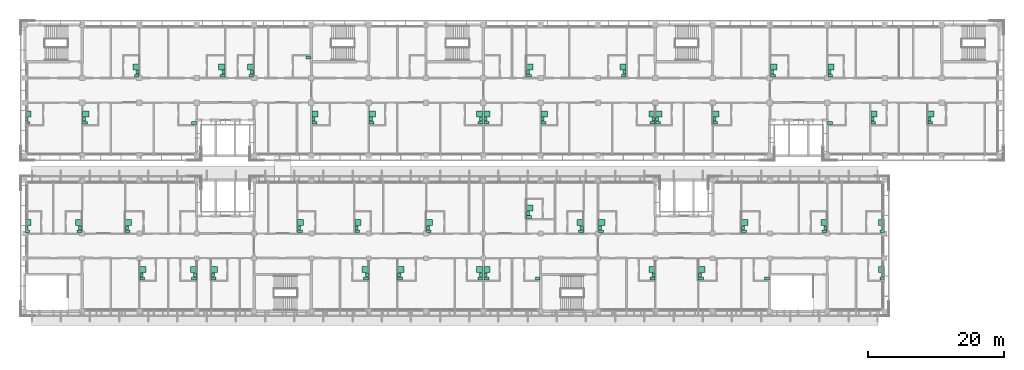
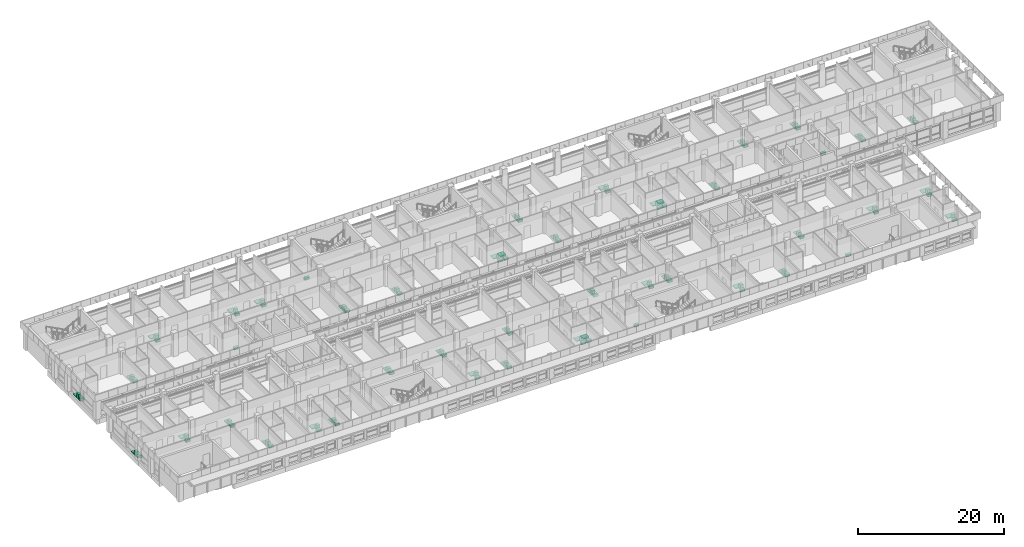
# One storey, part 71 of 71: 128 sanitary terminals.
"""IFC4 building model written with IfcOpenShell, lengths in metres."""

from ifc_helpers import new_model, si_unit, direction, frame, origin, origin_2d, place, context, subcontext, project, spatial, rectangle, extrude, material, type_object, element, save


model = new_model("IFC4")

# Units and contexts
model_context = context("Model", 3, precision=1e-05, world=origin(), true_north=direction((0.0, 1.0)))
body_context = subcontext(model_context, "Body", "Model", "MODEL_VIEW")
ifc_project = project(units=[si_unit("LENGTHUNIT", "METRE"), si_unit("AREAUNIT", "SQUARE_METRE"), si_unit("VOLUMEUNIT", "CUBIC_METRE"), si_unit("PLANEANGLEUNIT", "RADIAN"), si_unit("MASSUNIT", "GRAM", prefix="KILO")], contexts=[model_context])

# Site, building, storey
site_placement = place(None, origin())
site = spatial("IfcSite", under=ifc_project, at=site_placement, CompositionType="ELEMENT")
building_placement = place(site_placement, origin())
building = spatial("IfcBuilding", under=site, at=building_placement, Name="Bougainvillea Quay General Hospital", CompositionType="ELEMENT")
storey_placement = place(building_placement, frame((0.0, 0.0, 24.89990234375)))
storey = spatial("IfcBuildingStorey", under=building, at=storey_placement, Name="L05", CompositionType="ELEMENT", Elevation=24.89990234375)

# Sanitary terminals
ifc_material = material(Name="Vitreous china")
sanitary_terminal_type_1 = type_object("IfcSanitaryTerminalType", Name="Shower tray 900x900", PredefinedType="SHOWER", material=ifc_material)
for number, where, z_axis, x_axis, name in (
    (1, (42.449951171875, 146.52490234375, 0.0), (0.0, 0.0, 1.0), (0.0, 1.0, 0.0), "Shower tray"),
    (2, (50.925048828125, 146.52490234375, 0.0), (0.0, 0.0, 1.0), (0.0, 1.0, 0.0), "Shower tray"),
    (3, (58.300048828125, 153.425048828125, 0.0), (0.0, 0.0, 1.0), (0.0, -1.0, 0.0), "Shower tray"),
    (4, (70.875, 153.425048828125, 0.0), (0.0, 0.0, 1.0), (0.0, -1.0, 0.0), "Shower tray"),
    (5, (75.10009765625, 153.425048828125, 0.0), (0.0, 0.0, 1.0), (0.0, -1.0, 0.0), "Shower tray"),
    (6, (84.550048828125, 146.52490234375, 0.0), (0.0, 0.0, 1.0), (0.0, 1.0, 0.0), "Shower tray"),
    (7, (92.925048828125, 146.52490234375, 0.0), (0.0, 0.0, 1.0), (0.0, 1.0, 0.0), "Shower tray"),
    (8, (108.64990234375, 146.52490234375, 0.0), (0.0, 0.0, 1.0), (0.0, -1.0, 0.0), "Shower tray"),
    (9, (109.75, 146.52490234375, 0.0), (0.0, 0.0, 1.0), (0.0, 1.0, 0.0), "Shower tray"),
    (10, (118.125, 146.52490234375, 0.0), (0.0, 0.0, 1.0), (0.0, 1.0, 0.0), "Shower tray"),
    (11, (133.89990234375, 146.52490234375, 0.0), (0.0, 0.0, 1.0), (0.0, -1.0, 0.0), "Shower tray"),
    (12, (134.89990234375, 146.52490234375, 0.0), (0.0, 0.0, 1.0), (0.0, 1.0, 0.0), "Shower tray"),
    (13, (143.300048828125, 146.52490234375, 0.0), (0.0, 0.0, 1.0), (0.0, 1.0, 0.0), "Shower tray"),
    (14, (116.0, 153.425048828125, 0.0), (0.0, 0.0, 1.0), (0.0, 1.0, 0.0), "Shower tray"),
    (15, (129.675048828125, 153.425048828125, 0.0), (0.0, 0.0, 1.0), (0.0, -1.0, 0.0), "Shower tray"),
    (16, (151.75, 153.425048828125, 0.0), (0.0, 0.0, 1.0), (0.0, 1.0, 0.0), "Shower tray"),
    (17, (160.125, 153.425048828125, 0.0), (0.0, 0.0, 1.0), (0.0, 1.0, 0.0), "Shower tray"),
    (18, (166.425048828125, 146.52490234375, 0.0), (0.0, 0.0, 1.0), (0.0, 1.0, 0.0), "Shower tray"),
    (19, (174.800048828125, 146.52490234375, 0.0), (0.0, 0.0, 1.0), (0.0, 1.0, 0.0), "Shower tray"),
    (20, (42.449951171875, 130.625, 0.0), (0.0, 0.0, 1.0), (0.0, 1.0, 0.0), "Shower tray"),
    (21, (49.89990234375, 130.625, 0.0), (0.0, 0.0, 1.0), (0.0, -1.0, 0.0), "Shower tray"),
    (22, (57.199951171875, 130.625, 0.0), (0.0, 0.0, 1.0), (0.0, 1.0, 0.0), "Shower tray"),
    (23, (59.300048828125, 123.72509765625, 0.0), (0.0, 0.0, 1.0), (0.0, 1.0, 0.0), "Shower tray"),
    (24, (66.699951171875, 123.72509765625, 0.0), (0.0, 0.0, 1.0), (0.0, -1.0, 0.0), "Shower tray"),
    (25, (69.800048828125, 123.72509765625, 0.0), (0.0, 0.0, 1.0), (0.0, 1.0, 0.0), "Shower tray"),
    (26, (82.425048828125, 130.625, 0.0), (0.0, 0.0, 1.0), (0.0, 1.0, 0.0), "Shower tray"),
    (27, (90.824951171875, 130.625, 0.0), (0.0, 0.0, 1.0), (0.0, 1.0, 0.0), "Shower tray"),
    (28, (101.300048828125, 130.625, 0.0), (0.0, 0.0, 1.0), (0.0, 1.0, 0.0), "Shower tray"),
    (29, (91.89990234375, 123.72509765625, 0.0), (0.0, 0.0, 1.0), (0.0, -1.0, 0.0), "Shower tray"),
    (30, (97.10009765625, 123.72509765625, 0.0), (0.0, 0.0, 1.0), (0.0, 1.0, 0.0), "Shower tray"),
    (31, (108.64990234375, 123.72509765625, 0.0), (0.0, 0.0, 1.0), (0.0, -1.0, 0.0), "Shower tray"),
    (32, (109.75, 123.72509765625, 0.0), (0.0, 0.0, 1.0), (0.0, 1.0, 0.0), "Shower tray"),
    (33, (116.0, 132.72509765625, 0.0), (0.0, 0.0, 1.0), (0.0, 1.0, 0.0), "Shower tray"),
    (34, (123.39990234375, 130.625, 0.0), (0.0, 0.0, 1.0), (0.0, -1.0, 0.0), "Shower tray"),
    (35, (126.550048828125, 130.625, 0.0), (0.0, 0.0, 1.0), (0.0, 1.0, 0.0), "Shower tray"),
    (36, (133.89990234375, 123.72509765625, 0.0), (0.0, 0.0, 1.0), (0.0, -1.0, 0.0), "Shower tray"),
    (37, (141.199951171875, 123.72509765625, 0.0), (0.0, 0.0, 1.0), (0.0, 1.0, 0.0), "Shower tray"),
    (38, (147.5, 130.625, 0.0), (0.0, 0.0, 1.0), (0.0, 1.0, 0.0), "Shower tray"),
    (39, (159.10009765625, 130.625, 0.0), (0.0, 0.0, 1.0), (0.0, -1.0, 0.0), "Shower tray"),
    (40, (167.550048828125, 130.625, 0.0), (0.0, 0.0, 1.0), (0.0, -1.0, 0.0), "Shower tray"),
    (41, (167.550048828125, 123.72509765625, 0.0), (0.0, 0.0, 1.0), (0.0, -1.0, 0.0), "Shower tray"),
):
    element("IfcSanitaryTerminal", number, at=place(storey_placement, frame(where, z_axis=z_axis, x_axis=x_axis)), inside=storey, type_object=sanitary_terminal_type_1, Name=name, PredefinedType="SHOWER", context=body_context, shape_type="SweptSolid", body=[
        extrude(rectangle(XDim=0.89990234375, YDim=0.89990234375, at=origin_2d()), origin(), (0.0, 0.0, 1.0), 0.10009765625),
    ])
sanitary_terminal_type_2 = type_object("IfcSanitaryTerminalType", Name="Wall-hung toilet pan 400x700", PredefinedType="TOILETPAN", material=ifc_material)
for number, where, z_axis, x_axis, name in (
    (42, (42.35009765625, 145.22509765625, 0.000244140625), (0.0, 0.0, 1.0), (0.0, 1.0, 0.0), "Wall-hung toilet pan"),
    (43, (50.824951171875, 145.22509765625, 0.000244140625), (0.0, 0.0, 1.0), (0.0, 1.0, 0.0), "Wall-hung toilet pan"),
    (44, (66.810302734375, 145.215087890625, 0.000244140625), (0.0, 0.0, 1.0), (0.0, -1.0, 0.0), "Wall-hung toilet pan"),
    (45, (58.39990234375, 152.125, 0.000244140625), (0.0, 0.0, 1.0), (0.0, -1.0, 0.0), "Wall-hung toilet pan"),
    (46, (70.97509765625, 152.125, 0.000244140625), (0.0, 0.0, 1.0), (0.0, -1.0, 0.0), "Wall-hung toilet pan"),
    (47, (75.199951171875, 152.125, 0.000244140625), (0.0, 0.0, 1.0), (0.0, -1.0, 0.0), "Wall-hung toilet pan"),
    (48, (83.580810546875, 154.780517578125, 0.000244140625), (0.0, 0.0, 1.0), (0.0, -1.0, 0.0), "Wall-hung toilet pan"),
    (49, (84.449951171875, 145.22509765625, 0.000244140625), (0.0, 0.0, 1.0), (0.0, 1.0, 0.0), "Wall-hung toilet pan"),
    (50, (92.824951171875, 145.22509765625, 0.000244140625), (0.0, 0.0, 1.0), (0.0, 1.0, 0.0), "Wall-hung toilet pan"),
    (51, (108.75, 145.22509765625, 0.000244140625), (0.0, 0.0, 1.0), (0.0, -1.0, 0.0), "Wall-hung toilet pan"),
    (52, (109.64990234375, 145.22509765625, 0.000244140625), (0.0, 0.0, 1.0), (0.0, 1.0, 0.0), "Wall-hung toilet pan"),
    (53, (118.02490234375, 145.22509765625, 0.000244140625), (0.0, 0.0, 1.0), (0.0, 1.0, 0.0), "Wall-hung toilet pan"),
    (54, (134.0, 145.22509765625, 0.000244140625), (0.0, 0.0, 1.0), (0.0, -1.0, 0.0), "Wall-hung toilet pan"),
    (55, (134.800048828125, 145.22509765625, 0.000244140625), (0.0, 0.0, 1.0), (0.0, 1.0, 0.0), "Wall-hung toilet pan"),
    (56, (143.199951171875, 145.22509765625, 0.000244140625), (0.0, 0.0, 1.0), (0.0, 1.0, 0.0), "Wall-hung toilet pan"),
    (57, (115.89990234375, 152.125, 0.000244140625), (0.0, 0.0, 1.0), (0.0, 1.0, 0.0), "Wall-hung toilet pan"),
    (58, (129.77490234375, 152.125, 0.000244140625), (0.0, 0.0, 1.0), (0.0, -1.0, 0.0), "Wall-hung toilet pan"),
    (59, (151.64990234375, 152.125, 0.000244140625), (0.0, 0.0, 1.0), (0.0, 1.0, 0.0), "Wall-hung toilet pan"),
    (60, (160.02490234375, 152.125, 0.000244140625), (0.0, 0.0, 1.0), (0.0, 1.0, 0.0), "Wall-hung toilet pan"),
    (61, (159.98974609375, 145.215087890625, 0.000244140625), (0.0, 0.0, 1.0), (0.0, 1.0, 0.0), "Wall-hung toilet pan"),
    (62, (166.324951171875, 145.22509765625, 0.000244140625), (0.0, 0.0, 1.0), (0.0, 1.0, 0.0), "Wall-hung toilet pan"),
    (63, (174.699951171875, 145.22509765625, 0.000244140625), (0.0, 0.0, 1.0), (0.0, 1.0, 0.0), "Wall-hung toilet pan"),
    (64, (42.35009765625, 129.324951171875, 0.000244140625), (0.0, 0.0, 1.0), (0.0, 1.0, 0.0), "Wall-hung toilet pan"),
    (65, (50.0, 129.324951171875, 0.000244140625), (0.0, 0.0, 1.0), (0.0, -1.0, 0.0), "Wall-hung toilet pan"),
    (66, (57.10009765625, 129.324951171875, 0.000244140625), (0.0, 0.0, 1.0), (0.0, 1.0, 0.0), "Wall-hung toilet pan"),
    (67, (59.199951171875, 122.425048828125, 0.000244140625), (0.0, 0.0, 1.0), (0.0, 1.0, 0.0), "Wall-hung toilet pan"),
    (68, (66.800048828125, 122.425048828125, 0.000244140625), (0.0, 0.0, 1.0), (0.0, -1.0, 0.0), "Wall-hung toilet pan"),
    (69, (69.699951171875, 122.425048828125, 0.000244140625), (0.0, 0.0, 1.0), (0.0, 1.0, 0.0), "Wall-hung toilet pan"),
    (70, (82.324951171875, 129.324951171875, 0.000244140625), (0.0, 0.0, 1.0), (0.0, 1.0, 0.0), "Wall-hung toilet pan"),
    (71, (90.72509765625, 129.324951171875, 0.000244140625), (0.0, 0.0, 1.0), (0.0, 1.0, 0.0), "Wall-hung toilet pan"),
    (72, (101.199951171875, 129.324951171875, 0.000244140625), (0.0, 0.0, 1.0), (0.0, 1.0, 0.0), "Wall-hung toilet pan"),
    (73, (92.0, 122.425048828125, 0.000244140625), (0.0, 0.0, 1.0), (0.0, -1.0, 0.0), "Wall-hung toilet pan"),
    (74, (97.0, 122.425048828125, 0.000244140625), (0.0, 0.0, 1.0), (0.0, 1.0, 0.0), "Wall-hung toilet pan"),
    (75, (108.75, 122.425048828125, 0.000244140625), (0.0, 0.0, 1.0), (0.0, -1.0, 0.0), "Wall-hung toilet pan"),
    (76, (109.64990234375, 122.425048828125, 0.000244140625), (0.0, 0.0, 1.0), (0.0, 1.0, 0.0), "Wall-hung toilet pan"),
    (77, (117.180908203125, 122.418701171875, 0.000244140625), (0.0, 0.0, 1.0), (0.0, -1.0, 0.0), "Wall-hung toilet pan"),
    (78, (115.89990234375, 131.425048828125, 0.000244140625), (0.0, 0.0, 1.0), (0.0, 1.0, 0.0), "Wall-hung toilet pan"),
    (79, (123.5, 129.324951171875, 0.000244140625), (0.0, 0.0, 1.0), (0.0, -1.0, 0.0), "Wall-hung toilet pan"),
    (80, (126.449951171875, 129.324951171875, 0.000244140625), (0.0, 0.0, 1.0), (0.0, 1.0, 0.0), "Wall-hung toilet pan"),
    (81, (134.0, 122.425048828125, 0.000244140625), (0.0, 0.0, 1.0), (0.0, -1.0, 0.0), "Wall-hung toilet pan"),
    (82, (141.10009765625, 122.425048828125, 0.000244140625), (0.0, 0.0, 1.0), (0.0, 1.0, 0.0), "Wall-hung toilet pan"),
    (83, (150.781005859375, 122.418701171875, 0.000244140625), (0.0, 0.0, 1.0), (0.0, -1.0, 0.0), "Wall-hung toilet pan"),
    (84, (147.39990234375, 129.324951171875, 0.000244140625), (0.0, 0.0, 1.0), (0.0, 1.0, 0.0), "Wall-hung toilet pan"),
    (85, (159.199951171875, 129.324951171875, 0.000244140625), (0.0, 0.0, 1.0), (0.0, -1.0, 0.0), "Wall-hung toilet pan"),
    (86, (167.64990234375, 129.324951171875, 0.000244140625), (0.0, 0.0, 1.0), (0.0, -1.0, 0.0), "Wall-hung toilet pan"),
    (87, (167.64990234375, 122.425048828125, 0.000244140625), (0.0, 0.0, 1.0), (0.0, -1.0, 0.0), "Wall-hung toilet pan"),
):
    element("IfcSanitaryTerminal", number, at=place(storey_placement, frame(where, z_axis=z_axis, x_axis=x_axis)), inside=storey, type_object=sanitary_terminal_type_2, Name=name, PredefinedType="TOILETPAN", context=body_context, shape_type="SweptSolid", body=[
        extrude(rectangle(XDim=0.39990234375, YDim=0.699951171875, at=origin_2d()), origin(), (0.0, 0.0, 1.0), 0.39990234375),
    ])
sanitary_terminal_type_3 = type_object("IfcSanitaryTerminalType", Name="Wash hand basin 550x450", PredefinedType="WASHHANDBASIN", material=ifc_material)
for number, where, z_axis, x_axis, name in (
    (88, (42.22509765625, 145.75, 0.0), (0.0, 0.0, 1.0), (0.0, 1.0, 0.0), "Wash hand basin"),
    (89, (50.699951171875, 145.75, 0.0), (0.0, 0.0, 1.0), (0.0, 1.0, 0.0), "Wash hand basin"),
    (90, (58.52490234375, 152.64990234375, 0.0), (0.0, 0.0, 1.0), (0.0, -1.0, 0.0), "Wash hand basin"),
    (91, (71.10009765625, 152.64990234375, 0.0), (0.0, 0.0, 1.0), (0.0, -1.0, 0.0), "Wash hand basin"),
    (92, (75.324951171875, 152.64990234375, 0.0), (0.0, 0.0, 1.0), (0.0, -1.0, 0.0), "Wash hand basin"),
    (93, (84.324951171875, 145.75, 0.0), (0.0, 0.0, 1.0), (0.0, 1.0, 0.0), "Wash hand basin"),
    (94, (92.699951171875, 145.75, 0.0), (0.0, 0.0, 1.0), (0.0, 1.0, 0.0), "Wash hand basin"),
    (95, (108.875, 145.75, 0.0), (0.0, 0.0, 1.0), (0.0, -1.0, 0.0), "Wash hand basin"),
    (96, (109.52490234375, 145.75, 0.0), (0.0, 0.0, 1.0), (0.0, 1.0, 0.0), "Wash hand basin"),
    (97, (117.89990234375, 145.75, 0.0), (0.0, 0.0, 1.0), (0.0, 1.0, 0.0), "Wash hand basin"),
    (98, (134.125, 145.75, 0.0), (0.0, 0.0, 1.0), (0.0, -1.0, 0.0), "Wash hand basin"),
    (99, (134.675048828125, 145.75, 0.0), (0.0, 0.0, 1.0), (0.0, 1.0, 0.0), "Wash hand basin"),
    (100, (143.074951171875, 145.75, 0.0), (0.0, 0.0, 1.0), (0.0, 1.0, 0.0), "Wash hand basin"),
    (101, (115.77490234375, 152.64990234375, 0.0), (0.0, 0.0, 1.0), (0.0, 1.0, 0.0), "Wash hand basin"),
    (102, (129.89990234375, 152.64990234375, 0.0), (0.0, 0.0, 1.0), (0.0, -1.0, 0.0), "Wash hand basin"),
    (103, (151.52490234375, 152.64990234375, 0.0), (0.0, 0.0, 1.0), (0.0, 1.0, 0.0), "Wash hand basin"),
    (104, (159.89990234375, 152.64990234375, 0.0), (0.0, 0.0, 1.0), (0.0, 1.0, 0.0), "Wash hand basin"),
    (105, (166.199951171875, 145.75, 0.0), (0.0, 0.0, 1.0), (0.0, 1.0, 0.0), "Wash hand basin"),
    (106, (174.574951171875, 145.75, 0.0), (0.0, 0.0, 1.0), (0.0, 1.0, 0.0), "Wash hand basin"),
    (107, (42.22509765625, 129.85009765625, 0.0), (0.0, 0.0, 1.0), (0.0, 1.0, 0.0), "Wash hand basin"),
    (108, (50.125, 129.85009765625, 0.0), (0.0, 0.0, 1.0), (0.0, -1.0, 0.0), "Wash hand basin"),
    (109, (56.97509765625, 129.85009765625, 0.0), (0.0, 0.0, 1.0), (0.0, 1.0, 0.0), "Wash hand basin"),
    (110, (59.074951171875, 122.949951171875, 0.0), (0.0, 0.0, 1.0), (0.0, 1.0, 0.0), "Wash hand basin"),
    (111, (66.925048828125, 122.949951171875, 0.0), (0.0, 0.0, 1.0), (0.0, -1.0, 0.0), "Wash hand basin"),
    (112, (69.574951171875, 122.949951171875, 0.0), (0.0, 0.0, 1.0), (0.0, 1.0, 0.0), "Wash hand basin"),
    (113, (82.199951171875, 129.85009765625, 0.0), (0.0, 0.0, 1.0), (0.0, 1.0, 0.0), "Wash hand basin"),
    (114, (90.60009765625, 129.85009765625, 0.0), (0.0, 0.0, 1.0), (0.0, 1.0, 0.0), "Wash hand basin"),
    (115, (101.074951171875, 129.85009765625, 0.0), (0.0, 0.0, 1.0), (0.0, 1.0, 0.0), "Wash hand basin"),
    (116, (92.125, 122.949951171875, 0.0), (0.0, 0.0, 1.0), (0.0, -1.0, 0.0), "Wash hand basin"),
    (117, (96.875, 122.949951171875, 0.0), (0.0, 0.0, 1.0), (0.0, 1.0, 0.0), "Wash hand basin"),
    (118, (108.875, 122.949951171875, 0.0), (0.0, 0.0, 1.0), (0.0, -1.0, 0.0), "Wash hand basin"),
    (119, (109.52490234375, 122.949951171875, 0.0), (0.0, 0.0, 1.0), (0.0, 1.0, 0.0), "Wash hand basin"),
    (120, (115.77490234375, 131.949951171875, 0.0), (0.0, 0.0, 1.0), (0.0, 1.0, 0.0), "Wash hand basin"),
    (121, (123.625, 129.85009765625, 0.0), (0.0, 0.0, 1.0), (0.0, -1.0, 0.0), "Wash hand basin"),
    (122, (126.324951171875, 129.85009765625, 0.0), (0.0, 0.0, 1.0), (0.0, 1.0, 0.0), "Wash hand basin"),
    (123, (134.125, 122.949951171875, 0.0), (0.0, 0.0, 1.0), (0.0, -1.0, 0.0), "Wash hand basin"),
    (124, (140.97509765625, 122.949951171875, 0.0), (0.0, 0.0, 1.0), (0.0, 1.0, 0.0), "Wash hand basin"),
    (125, (147.27490234375, 129.85009765625, 0.0), (0.0, 0.0, 1.0), (0.0, 1.0, 0.0), "Wash hand basin"),
    (126, (159.324951171875, 129.85009765625, 0.0), (0.0, 0.0, 1.0), (0.0, -1.0, 0.0), "Wash hand basin"),
    (127, (167.77490234375, 129.85009765625, 0.0), (0.0, 0.0, 1.0), (0.0, -1.0, 0.0), "Wash hand basin"),
    (128, (167.77490234375, 122.949951171875, 0.0), (0.0, 0.0, 1.0), (0.0, -1.0, 0.0), "Wash hand basin"),
):
    element("IfcSanitaryTerminal", number, at=place(storey_placement, frame(where, z_axis=z_axis, x_axis=x_axis)), inside=storey, type_object=sanitary_terminal_type_3, Name=name, PredefinedType="WASHHANDBASIN", context=body_context, shape_type="SweptSolid", body=[
        extrude(rectangle(XDim=0.550048828125, YDim=0.449951171875, at=origin_2d()), origin(), (0.0, 0.0, 1.0), 0.85009765625),
    ])

save(model, "model.ifc")
